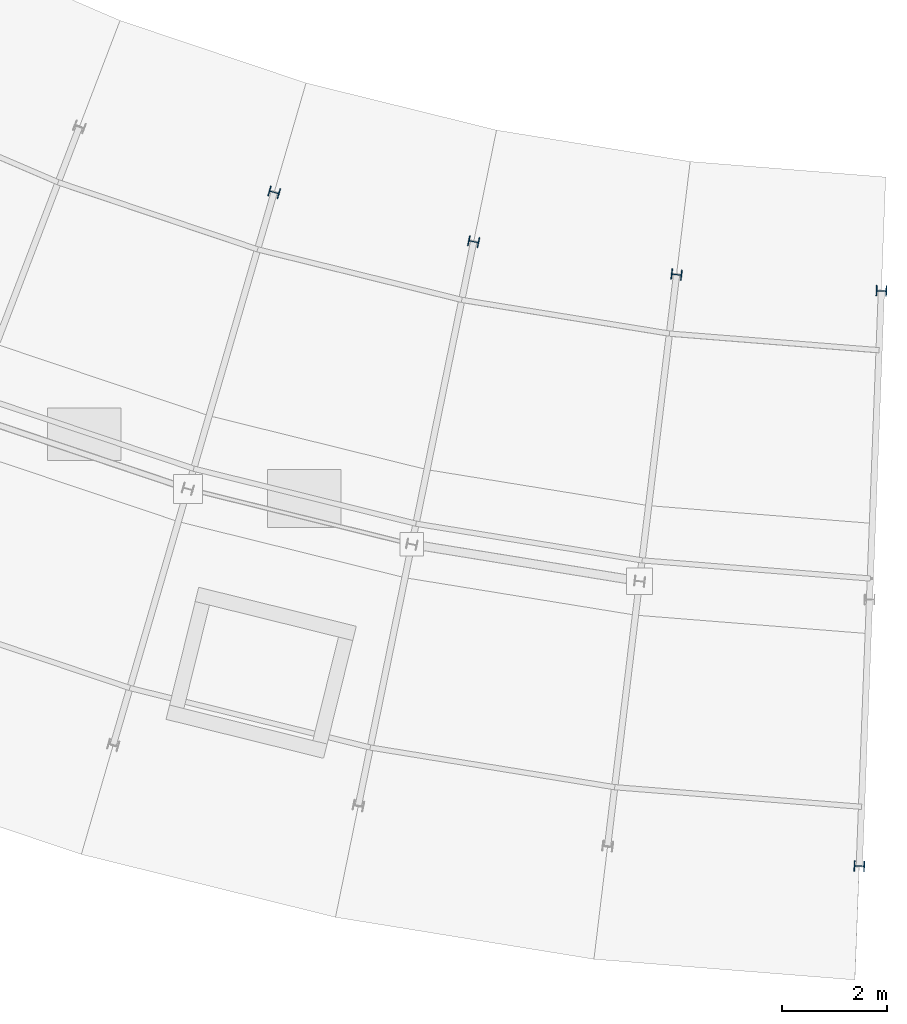
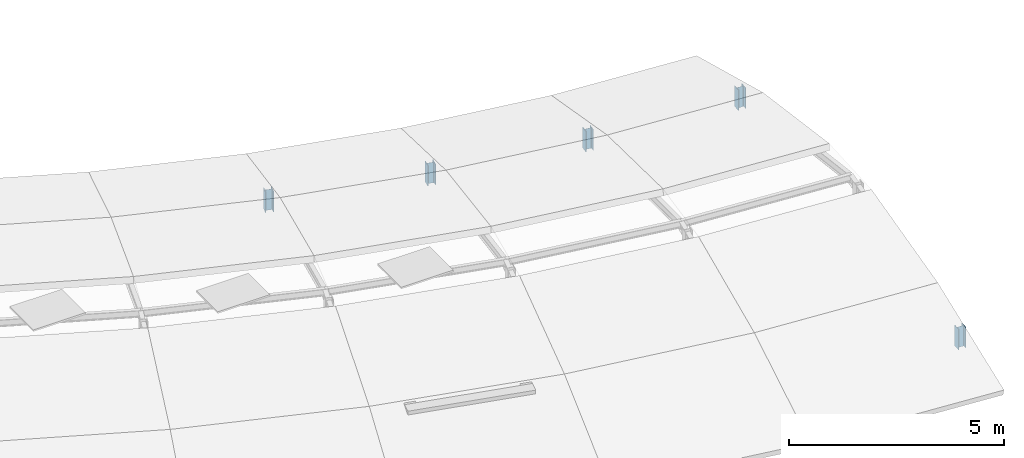
# One storey, part 7 of 40: 5 columns.
"""IFC4 building model written with IfcOpenShell, lengths in metres."""

from ifc_helpers import new_model, si_unit, direction, frame, origin, origin_2d, place, context, subcontext, project, spatial, i_section, extrude, material, material_profile, profile_set, type_object, element, save


model = new_model("IFC4")

# Units and contexts
model_context = context("Model", 3, precision=1e-05, world=origin(), true_north=direction((0.0, 1.0)))
body_context = subcontext(model_context, "Body", "Model", "MODEL_VIEW")
ifc_project = project(units=[si_unit("LENGTHUNIT", "METRE"), si_unit("AREAUNIT", "SQUARE_METRE"), si_unit("VOLUMEUNIT", "CUBIC_METRE"), si_unit("PLANEANGLEUNIT", "RADIAN"), si_unit("MASSUNIT", "GRAM", prefix="KILO")], contexts=[model_context])

# Site, building, storey
site_placement = place(None, origin())
site = spatial("IfcSite", under=ifc_project, at=site_placement, CompositionType="ELEMENT")
building_placement = place(site_placement, origin())
building = spatial("IfcBuilding", under=site, at=building_placement, Name="Zimvara Arc Housing Community", CompositionType="ELEMENT")
storey_placement = place(building_placement, frame((0.0, 0.0, 32.89990234375)))
storey = spatial("IfcBuildingStorey", under=building, at=storey_placement, Name="L10", CompositionType="ELEMENT", Elevation=32.89990234375)

# Columns
ifc_material = material(Name="Steel S355", Category="steel")
ifc_material_profile = material_profile(ifc_material, i_section(OverallWidth=0.199951171875, OverallDepth=0.199951171875, WebThickness=0.009033203125, FlangeThickness=0.014892578125, FilletRadius=0.01806640625, at=origin_2d()), Name="HEB 200")
ifc_profile_set = profile_set([ifc_material_profile], Name="Steel S355")
column_type = type_object("IfcColumnType", Name="COL-ST-HEB200", PredefinedType="COLUMN", material=ifc_profile_set)
for number, where, z_axis, x_axis, name in (
    (1, (112.57861328125, 63.85205078125, 0.0), (0.0, 0.0, 1.0), (-0.27966144946, -0.96009867914, 0.0), "col:blkC:L10:ribpost1:g7"),
    (2, (116.377197265625, 62.912109375, 0.0), (0.0, 0.0, 1.0), (-0.200393999665, -0.979715389742, 0.0), "col:blkC:L10:ribpost1:g8"),
    (3, (120.23974609375, 62.28515625, 0.0), (0.0, 0.0, 1.0), (-0.119790293837, -0.992799217114, 0.0), "col:blkC:L10:ribpost1:g9"),
    (4, (124.140380859375, 61.975341796875, 0.0), (0.0, 0.0, 1.0), (-0.038387809088, -0.999262916411, 0.0), "col:blkC:L10:ribpost1:g10"),
    (5, (123.7197265625, 51.0234375, 0.0), (0.0, 0.0, 1.0), (-0.038387809088, -0.999262916411, 0.0), "col:blkC:L10:ribpost3:g10"),
):
    element("IfcColumn", number, at=place(storey_placement, frame(where, z_axis=z_axis, x_axis=x_axis)), inside=storey, type_object=column_type, Name=name, PredefinedType="COLUMN", context=body_context, shape_type="SweptSolid", body=[
        extrude(i_section(OverallWidth=0.199951171875, OverallDepth=0.199951171875, WebThickness=0.009033203125, FlangeThickness=0.014892578125, FilletRadius=0.01806640625, at=origin_2d()), origin(), (0.0, 0.0, 1.0), 0.582763671875),
    ])

save(model, "model.ifc")
